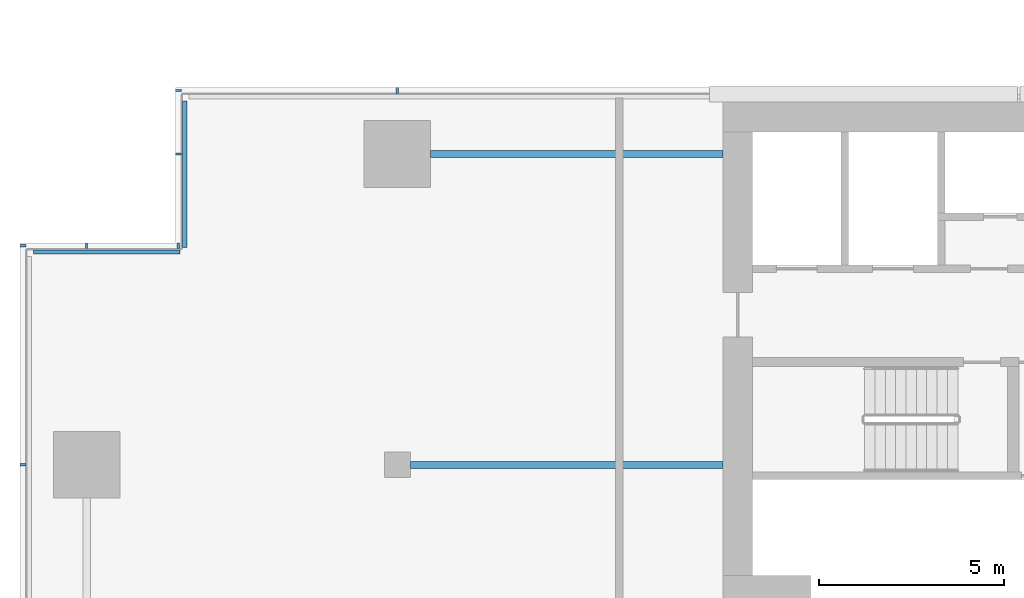
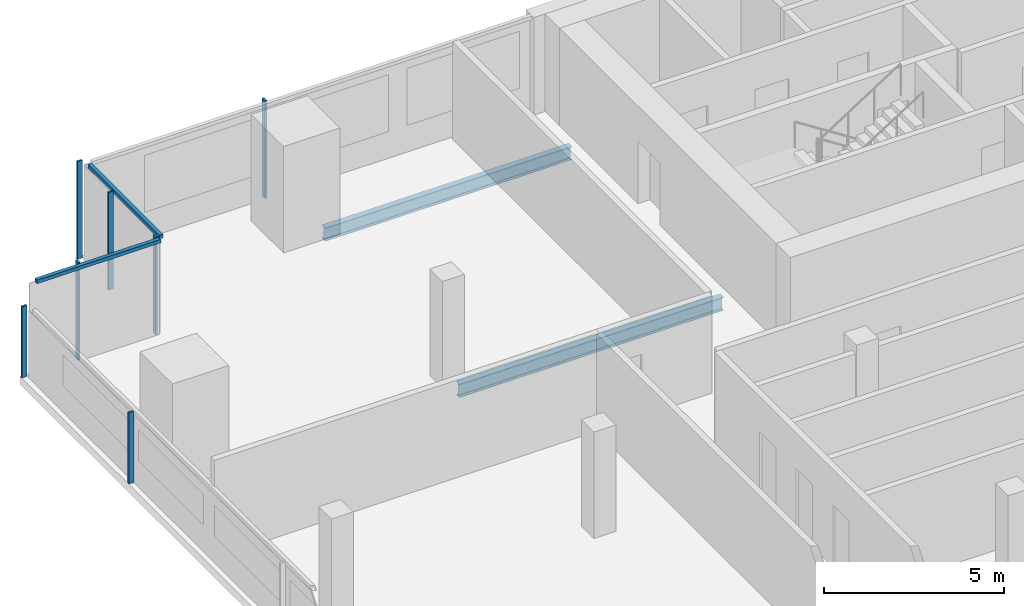
# One storey, part 9 of 24: 9 members, 2 beams, 4 elements without a shape of their own.
"""IFC4 building model written with IfcOpenShell, lengths in metres."""

import ifcopenshell
import ifcopenshell.guid

model = None  # the IFC model being written
_history = None  # IfcOwnerHistory: only IFC2X3 demands one
_inside = {}  # id of a spatial element -> (the spatial element, [elements in it])
_under = {}  # id of a project, library or spatial element -> (it, [spatial elements below it])
_declared = {}  # id of a project -> (the project, [libraries it declares])
_typed = {}  # id of a type object -> (the type object, [elements of that type])
_made_of = {}  # id of a material, layer set ... -> (it, [elements and type objects made of it])


def new_model(schema):
    """Start an empty IFC model of exactly this schema.

    Asked for "IFC4X3", IfcOpenShell would pick the latest addendum, in which some entities
    have other attributes; the version numbers below select the first issue.
    IFC2X3 requires an IfcOwnerHistory on every rooted entity: one is made here for all.
    """
    global model, _history
    if schema == "IFC4X3":
        model = ifcopenshell.file(schema_version=(4, 3, 0, 0))
    else:
        model = ifcopenshell.file(schema=schema)
    _inside.clear()
    _under.clear()
    _declared.clear()
    _typed.clear()
    _made_of.clear()
    _history = None
    if model.schema == "IFC2X3":
        org = make("IfcOrganization", Name="unknown")
        user = make(
            "IfcPersonAndOrganization",
            ThePerson=make("IfcPerson", FamilyName="unknown"),
            TheOrganization=org,
        )
        app = make(
            "IfcApplication",
            ApplicationDeveloper=org,
            Version="unknown",
            ApplicationFullName="unknown",
            ApplicationIdentifier="unknown",
        )
        _history = make(
            "IfcOwnerHistory",
            OwningUser=user,
            OwningApplication=app,
            ChangeAction="ADDED",
            CreationDate=0,
        )
    return model


def make(cls, **values):
    """One entity of the class cls with the attributes given. An attribute that is None is left unset."""
    return model.create_entity(
        cls, **{name: value for name, value in values.items() if value is not None}
    )


def rooted(cls, **values):
    """An entity with a GlobalId (a new one), such as an element, a storey or a relation."""
    return make(cls, GlobalId=ifcopenshell.guid.new(), OwnerHistory=_history, **values)


def si_unit(unit_type, name, prefix=None):
    """IfcSIUnit, for example si_unit("LENGTHUNIT", "METRE", prefix="MILLI")."""
    return make("IfcSIUnit", UnitType=unit_type, Prefix=prefix, Name=name)


def assignment(units):
    """IfcUnitAssignment: the units of a project."""
    return None if units is None else make("IfcUnitAssignment", Units=units)


def point(xyz):
    """IfcCartesianPoint."""
    return None if xyz is None else make("IfcCartesianPoint", Coordinates=xyz)


def direction(xyz):
    """IfcDirection."""
    return None if xyz is None else make("IfcDirection", DirectionRatios=xyz)


def frame(location, z_axis=None, x_axis=None):
    """IfcAxis2Placement3D, a coordinate frame: its origin and axes. An axis left out is left unset."""
    return make(
        "IfcAxis2Placement3D",
        Location=point(location),
        Axis=direction(z_axis),
        RefDirection=direction(x_axis),
    )


def frame_2d(location, x_axis=None):
    """IfcAxis2Placement2D, a coordinate frame in the plane: its origin and x axis."""
    return make(
        "IfcAxis2Placement2D", Location=point(location), RefDirection=direction(x_axis)
    )


def origin():
    """The frame at (0, 0, 0) with its axes left unset."""
    return frame((0.0, 0.0, 0.0))


def origin_2d():
    """The frame at (0, 0) in the plane with its x axis left unset."""
    return frame_2d((0.0, 0.0))


def place(relative_to, where):
    """IfcLocalPlacement: puts the frame where relative to a parent placement (None: the world)."""
    return make(
        "IfcLocalPlacement", PlacementRelTo=relative_to, RelativePlacement=where
    )


def context(
    kind, dimensions, precision=None, world=None, true_north=None, identifier=None
):
    """IfcGeometricRepresentationContext, for example the 3D "Model" context."""
    return make(
        "IfcGeometricRepresentationContext",
        ContextIdentifier=identifier,
        ContextType=kind,
        CoordinateSpaceDimension=dimensions,
        Precision=precision,
        WorldCoordinateSystem=world,
        TrueNorth=true_north,
    )


def subcontext(parent, identifier, kind, view, scale=None):
    """IfcGeometricRepresentationSubContext, for example "Body" below "Model"."""
    return make(
        "IfcGeometricRepresentationSubContext",
        ContextIdentifier=identifier,
        ContextType=kind,
        ParentContext=parent,
        TargetScale=scale,
        TargetView=view,
    )


def project(units=None, contexts=None):
    """IfcProject with its units and contexts."""
    return rooted(
        "IfcProject",
        Name="project",
        RepresentationContexts=contexts,
        UnitsInContext=assignment(units),
    )


def spatial(cls, under=None, at=None, **own):
    """A site, building, storey or space (cls), placed at a placement, below another one or the project."""
    s = rooted(cls, ObjectPlacement=at, **own)
    if under is not None:
        _under.setdefault(under.id(), (under, []))[1].append(s)
    return s


def profile(cls, at=None, kind="AREA", **sizes):
    """A parametric profile (cls). Its sizes go by their IFC names, for example OverallWidth=200.0."""
    return make(cls, ProfileType=kind, Position=at, **sizes)


def rectangle(**sizes):
    """IfcRectangleProfileDef."""
    return profile("IfcRectangleProfileDef", **sizes)


def i_section(**sizes):
    """IfcIShapeProfileDef."""
    return profile("IfcIShapeProfileDef", **sizes)


def extrude(swept, where, along, depth):
    """IfcExtrudedAreaSolid: the profile swept, set in the frame where, extruded along a direction by depth."""
    return make(
        "IfcExtrudedAreaSolid",
        SweptArea=swept,
        Position=where,
        ExtrudedDirection=direction(along),
        Depth=depth,
    )


def shape(context_of_items, identifier, shape_type, items):
    """IfcShapeRepresentation: the items that make up one representation, for example the "Body"."""
    return make(
        "IfcShapeRepresentation",
        ContextOfItems=context_of_items,
        RepresentationIdentifier=identifier,
        RepresentationType=shape_type,
        Items=items,
    )


def material(Name=None, Category=None):
    """IfcMaterial."""
    return make("IfcMaterial", Name=Name, Category=Category)


def material_profile(
    of_material, cross_section, Name=None, Category=None, Priority=None
):
    """IfcMaterialProfile: a cross section and its material."""
    return make(
        "IfcMaterialProfile",
        Name=Name,
        Material=of_material,
        Profile=cross_section,
        Priority=Priority,
        Category=Category,
    )


def profile_set(profiles, Name=None, composite=None):
    """IfcMaterialProfileSet."""
    return make(
        "IfcMaterialProfileSet",
        Name=Name,
        MaterialProfiles=profiles,
        CompositeProfile=composite,
    )


def made_of(thing, what):
    """Note that an element or type object is made of a material, layer set ...; save() writes the relation."""
    if what is not None:
        _made_of.setdefault(what.id(), (what, []))[1].append(thing)
    return thing


def type_object(cls, material=None, **own):
    """A type object (cls), such as IfcWallType, which elements share."""
    return made_of(rooted(cls, **own), material)


def element(
    cls,
    number,
    at=None,
    inside=None,
    cuts=None,
    type_object=None,
    material=None,
    context=None,
    identifier="Body",
    shape_type=None,
    held_by="IfcProductDefinitionShape",
    body=None,
    shapes=None,
    **own,
):
    """One element of the class cls, such as IfcWall. Its Tag is "e" and its number.

    at: its placement. inside: the storey or other place that contains it. cuts: it is an
    opening in that element (IfcRelVoidsElement). A single representation is given by context,
    identifier, shape_type and body (its items); several are given by shapes. held_by: the class
    of the entity that holds the representations. save() writes the other relations.
    """
    e = rooted(cls, Tag="e%d" % number, ObjectPlacement=at, **own)
    if body is not None:
        shapes = [shape(context, identifier, shape_type, body)]
    if shapes is not None:
        e.Representation = make(held_by, Representations=shapes)
    if inside is not None:
        _inside.setdefault(inside.id(), (inside, []))[1].append(e)
    if cuts is not None:
        rooted(
            "IfcRelVoidsElement", RelatingBuildingElement=cuts, RelatedOpeningElement=e
        )
    if type_object is not None:
        _typed.setdefault(type_object.id(), (type_object, []))[1].append(e)
    return made_of(e, material)


def aggregate(whole, parts):
    """IfcRelAggregates: a whole, such as a stair, and the parts it consists of."""
    return rooted("IfcRelAggregates", RelatingObject=whole, RelatedObjects=parts)


def save(model, path):
    """Write the relations noted so far, then the file.

    IfcRelAggregates (storeys below a building ...), IfcRelContainedInSpatialStructure (elements
    in a storey), IfcRelDefinesByType, IfcRelAssociatesMaterial and IfcRelDeclares: one each for
    every whole, place, type object, material and project.
    """
    for whole, parts in _under.values():
        aggregate(whole, parts)
    for where, things in _inside.values():
        rooted(
            "IfcRelContainedInSpatialStructure",
            RelatedElements=things,
            RelatingStructure=where,
        )
    for kind, things in _typed.values():
        rooted("IfcRelDefinesByType", RelatedObjects=things, RelatingType=kind)
    for what, things in _made_of.values():
        rooted("IfcRelAssociatesMaterial", RelatedObjects=things, RelatingMaterial=what)
    for by, libraries in _declared.values():
        rooted("IfcRelDeclares", RelatingContext=by, RelatedDefinitions=libraries)
    model.write(path)


model = new_model("IFC4")

# Units and contexts
model_context = context("Model", 3, precision=1e-05, world=origin(), true_north=direction((0.0, 1.0)))
body_context = subcontext(model_context, "Body", "Model", "MODEL_VIEW")
ifc_project = project(units=[si_unit("LENGTHUNIT", "METRE"), si_unit("AREAUNIT", "SQUARE_METRE"), si_unit("VOLUMEUNIT", "CUBIC_METRE"), si_unit("PLANEANGLEUNIT", "RADIAN"), si_unit("MASSUNIT", "GRAM", prefix="KILO")], contexts=[model_context])

# Site, building, storey
site_placement = place(None, origin())
site = spatial("IfcSite", under=ifc_project, at=site_placement, CompositionType="ELEMENT")
building_placement = place(site_placement, origin())
building = spatial("IfcBuilding", under=site, at=building_placement, Name="Saffron Gate Tower", CompositionType="ELEMENT")
storey_placement = place(building_placement, frame((0.0, 0.0, 190.64990234375)))
storey = spatial("IfcBuildingStorey", under=building, at=storey_placement, Name="L47", CompositionType="ELEMENT", Elevation=190.64990234375)

# Beams
ifc_material_1 = material(Name="Structural steel S355", Category="steel")
ifc_material_profile_1 = material_profile(ifc_material_1, i_section(OverallWidth=0.18994140625, OverallDepth=0.449951171875, WebThickness=0.009521484375, FlangeThickness=0.0146484375, FilletRadius=0.02099609375, at=origin_2d()))
ifc_profile_set_1 = profile_set([ifc_material_profile_1], Name="Structural steel S355")
beam_type = type_object("IfcBeamType", Name="B6 IPE 450", PredefinedType="BEAM", material=ifc_profile_set_1)
beam_1_placement = place(storey_placement, frame((58.550048828125, 65.39990234375, -0.5048828125), z_axis=(1.0, 0.0, 0.0), x_axis=(0.0, 1.0, 0.0)))
element("IfcBeam", 1, at=beam_1_placement, inside=storey, type_object=beam_type, Name="B6 CORE TIE BEAM", PredefinedType="BEAM", context=body_context, shape_type="SweptSolid", body=[
    extrude(i_section(OverallWidth=0.18994140625, OverallDepth=0.449951171875, WebThickness=0.009521484375, FlangeThickness=0.0146484375, FilletRadius=0.02099609375, at=origin_2d()), origin(), (0.0, 0.0, 1.0), 8.449951171875),
])
beam_2_placement = place(storey_placement, frame((59.10009765625, 73.800048828125, -0.5048828125), z_axis=(1.0, 0.0, 0.0), x_axis=(0.0, 1.0, 0.0)))
element("IfcBeam", 2, at=beam_2_placement, inside=storey, type_object=beam_type, Name="B6 CORE TIE BEAM", PredefinedType="BEAM", context=body_context, shape_type="SweptSolid", body=[
    extrude(i_section(OverallWidth=0.18994140625, OverallDepth=0.449951171875, WebThickness=0.009521484375, FlangeThickness=0.0146484375, FilletRadius=0.02099609375, at=origin_2d()), origin(), (0.0, 0.0, 1.0), 7.89990234375),
])

# Curtain wall, members
ifc_material_2 = material(Name="Aluminium, bronze anodised", Category="aluminium")
curtain_wall_type_1 = type_object("IfcCurtainWallType", Name="CWS2 curtain wall side facades", PredefinedType="NOTDEFINED", material=ifc_material_2)
curtain_wall_1_placement = place(storey_placement, origin())
curtain_wall_1 = element("IfcCurtainWall", 3, at=curtain_wall_1_placement, inside=storey, type_object=curtain_wall_type_1, Name="CWS2 run 10", PredefinedType="NOTDEFINED")
ifc_material_profile_2 = material_profile(ifc_material_2, rectangle(XDim=0.159912109375, YDim=0.06005859375, at=origin_2d()))
ifc_profile_set_2 = profile_set([ifc_material_profile_2], Name="Aluminium, bronze anodised")
member_type_1 = type_object("IfcMemberType", Name="CWS2 mullion 60x160", PredefinedType="MULLION", material=ifc_profile_set_2)
member_1_placement = place(storey_placement, frame((48.080078125, 71.320068359375, 0.0), z_axis=(0.0, 0.0, 1.0), x_axis=(1.0, 0.0, 0.0)))
member_1 = element("IfcMember", 4, at=member_1_placement, type_object=member_type_1, Name="CWS2 mullion 1", PredefinedType="MULLION", context=body_context, shape_type="SweptSolid", body=[
    extrude(rectangle(XDim=0.159912109375, YDim=0.06005859375, at=origin_2d()), origin(), (0.0, 0.0, 1.0), 2.41015625),
])
member_2_placement = place(storey_placement, frame((48.080078125, 65.39990234375, 0.0), z_axis=(0.0, 0.0, 1.0), x_axis=(1.0, 0.0, 0.0)))
member_2 = element("IfcMember", 5, at=member_2_placement, type_object=member_type_1, Name="CWS2 mullion 2", PredefinedType="MULLION", context=body_context, shape_type="SweptSolid", body=[
    extrude(rectangle(XDim=0.159912109375, YDim=0.06005859375, at=origin_2d()), origin(), (0.0, 0.0, 1.0), 2.41015625),
])
aggregate(curtain_wall_1, [member_1, member_2])

# Curtain wall, member
curtain_wall_type_2 = type_object("IfcCurtainWallType", Name="CWS3 curtain wall rear facade", PredefinedType="NOTDEFINED", material=ifc_material_2)
curtain_wall_2_placement = place(storey_placement, origin())
curtain_wall_2 = element("IfcCurtainWall", 6, at=curtain_wall_2_placement, inside=storey, type_object=curtain_wall_type_2, Name="CWS3 run 7", PredefinedType="NOTDEFINED")
ifc_material_profile_3 = material_profile(ifc_material_2, rectangle(XDim=0.159912109375, YDim=0.070068359375, at=origin_2d()))
ifc_profile_set_3 = profile_set([ifc_material_profile_3], Name="Aluminium, bronze anodised")
member_type_2 = type_object("IfcMemberType", Name="CWS3 mullion 70x160", PredefinedType="MULLION", material=ifc_profile_set_3)
member_3_placement = place(storey_placement, frame((58.199951171875, 75.52001953125, 0.0), z_axis=(0.0, 0.0, 1.0), x_axis=(0.0, -1.0, 0.0)))
member_3 = element("IfcMember", 7, at=member_3_placement, type_object=member_type_2, Name="CWS3 mullion 9", PredefinedType="MULLION", context=body_context, shape_type="SweptSolid", body=[
    extrude(rectangle(XDim=0.159912109375, YDim=0.070068359375, at=origin_2d()), origin(), (0.0, 0.0, 1.0), 3.300048828125),
])
aggregate(curtain_wall_2, [member_3])

curtain_wall_type_3 = type_object("IfcCurtainWallType", Name="CWS4 curtain wall corner returns", PredefinedType="NOTDEFINED", material=ifc_material_2)
curtain_wall_3_placement = place(storey_placement, origin())
curtain_wall_3 = element("IfcCurtainWall", 8, at=curtain_wall_3_placement, inside=storey, type_object=curtain_wall_type_3, Name="CWS4 run 8", PredefinedType="NOTDEFINED")
ifc_material_profile_4 = material_profile(ifc_material_2, rectangle(XDim=0.1201171875, YDim=0.1201171875, at=origin_2d()))
ifc_profile_set_4 = profile_set([ifc_material_profile_4], Name="Aluminium, bronze anodised")
member_type_3 = type_object("IfcMemberType", Name="CWS4 head transom", PredefinedType="USERDEFINED", material=ifc_profile_set_4)
member_4_placement = place(storey_placement, frame((52.447998046875, 75.23193359375, 3.239990234375), z_axis=(0.0, -1.0, 0.0), x_axis=(1.0, 0.0, 0.0)))
member_4 = element("IfcMember", 9, at=member_4_placement, type_object=member_type_3, Name="CWS4 head transom", ObjectType="TRANSOM", PredefinedType="USERDEFINED", context=body_context, shape_type="SweptSolid", body=[
    extrude(rectangle(XDim=0.1201171875, YDim=0.1201171875, at=origin_2d()), origin(), (0.0, 0.0, 1.0), 3.9599609375),
])

curtain_wall_4_placement = place(storey_placement, origin())
curtain_wall_4 = element("IfcCurtainWall", 10, at=curtain_wall_4_placement, inside=storey, type_object=curtain_wall_type_3, Name="CWS4 run 9", PredefinedType="NOTDEFINED")
member_5_placement = place(storey_placement, frame((52.327880859375, 71.152099609375, 3.239990234375), z_axis=(-1.0, 0.0, 0.0), x_axis=(0.0, -1.0, 0.0)))
member_5 = element("IfcMember", 11, at=member_5_placement, type_object=member_type_3, Name="CWS4 head transom", ObjectType="TRANSOM", PredefinedType="USERDEFINED", context=body_context, shape_type="SweptSolid", body=[
    extrude(rectangle(XDim=0.1201171875, YDim=0.1201171875, at=origin_2d()), origin(), (0.0, 0.0, 1.0), 3.9599609375),
])

# Member
ifc_material_profile_5 = material_profile(ifc_material_2, rectangle(XDim=0.159912109375, YDim=0.06005859375, at=origin_2d()))
ifc_profile_set_5 = profile_set([ifc_material_profile_5], Name="Aluminium, bronze anodised")
member_type_4 = type_object("IfcMemberType", Name="CWS4 mullion 60x160", PredefinedType="MULLION", material=ifc_profile_set_5)
member_6_placement = place(storey_placement, frame((52.280029296875, 75.52001953125, 0.0), z_axis=(0.0, 0.0, 1.0), x_axis=(1.0, 0.0, 0.0)))
member_6 = element("IfcMember", 12, at=member_6_placement, type_object=member_type_4, Name="CWS4 mullion 1", PredefinedType="MULLION", context=body_context, shape_type="SweptSolid", body=[
    extrude(rectangle(XDim=0.159912109375, YDim=0.06005859375, at=origin_2d()), origin(), (0.0, 0.0, 1.0), 3.300048828125),
])

member_7_placement = place(storey_placement, frame((52.280029296875, 73.800048828125, 0.0), z_axis=(0.0, 0.0, 1.0), x_axis=(1.0, 0.0, 0.0)))
member_7 = element("IfcMember", 13, at=member_7_placement, type_object=member_type_4, Name="CWS4 mullion 2", PredefinedType="MULLION", context=body_context, shape_type="SweptSolid", body=[
    extrude(rectangle(XDim=0.159912109375, YDim=0.06005859375, at=origin_2d()), origin(), (0.0, 0.0, 1.0), 3.300048828125),
])

aggregate(curtain_wall_3, [member_6, member_7, member_4])

member_8_placement = place(storey_placement, frame((52.280029296875, 71.320068359375, 0.0), z_axis=(0.0, 0.0, 1.0), x_axis=(0.0, -1.0, 0.0)))
member_8 = element("IfcMember", 14, at=member_8_placement, type_object=member_type_4, Name="CWS4 mullion 1", PredefinedType="MULLION", context=body_context, shape_type="SweptSolid", body=[
    extrude(rectangle(XDim=0.159912109375, YDim=0.06005859375, at=origin_2d()), origin(), (0.0, 0.0, 1.0), 3.300048828125),
])

member_9_placement = place(storey_placement, frame((49.800048828125, 71.320068359375, 0.0), z_axis=(0.0, 0.0, 1.0), x_axis=(0.0, -1.0, 0.0)))
member_9 = element("IfcMember", 15, at=member_9_placement, type_object=member_type_4, Name="CWS4 mullion 2", PredefinedType="MULLION", context=body_context, shape_type="SweptSolid", body=[
    extrude(rectangle(XDim=0.159912109375, YDim=0.06005859375, at=origin_2d()), origin(), (0.0, 0.0, 1.0), 3.300048828125),
])

aggregate(curtain_wall_4, [member_8, member_9, member_5])

save(model, "model.ifc")
